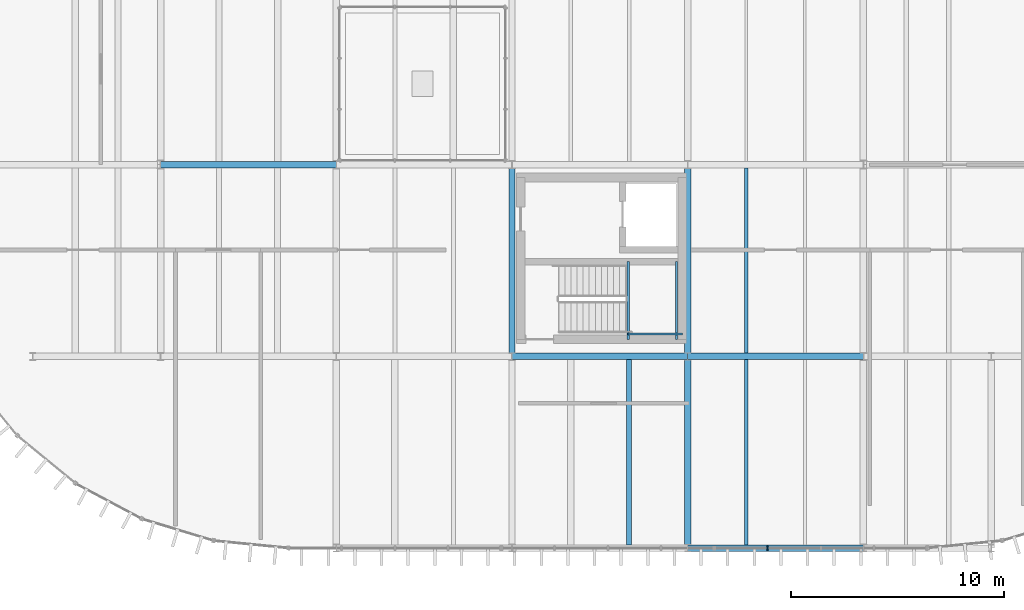
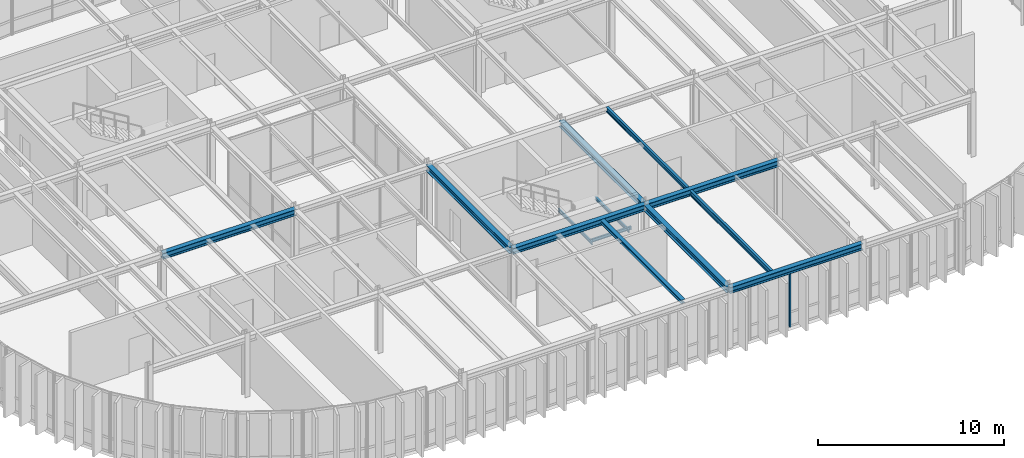
# One storey, part 9 of 31: 13 beams, 1 member, 1 element without a shape of its own.
"""IFC4 building model written with IfcOpenShell, lengths in metres."""

import ifcopenshell
import ifcopenshell.guid

model = None  # the IFC model being written
_history = None  # IfcOwnerHistory: only IFC2X3 demands one
_inside = {}  # id of a spatial element -> (the spatial element, [elements in it])
_under = {}  # id of a project, library or spatial element -> (it, [spatial elements below it])
_declared = {}  # id of a project -> (the project, [libraries it declares])
_typed = {}  # id of a type object -> (the type object, [elements of that type])
_made_of = {}  # id of a material, layer set ... -> (it, [elements and type objects made of it])


def new_model(schema):
    """Start an empty IFC model of exactly this schema.

    Asked for "IFC4X3", IfcOpenShell would pick the latest addendum, in which some entities
    have other attributes; the version numbers below select the first issue.
    IFC2X3 requires an IfcOwnerHistory on every rooted entity: one is made here for all.
    """
    global model, _history
    if schema == "IFC4X3":
        model = ifcopenshell.file(schema_version=(4, 3, 0, 0))
    else:
        model = ifcopenshell.file(schema=schema)
    _inside.clear()
    _under.clear()
    _declared.clear()
    _typed.clear()
    _made_of.clear()
    _history = None
    if model.schema == "IFC2X3":
        org = make("IfcOrganization", Name="unknown")
        user = make(
            "IfcPersonAndOrganization",
            ThePerson=make("IfcPerson", FamilyName="unknown"),
            TheOrganization=org,
        )
        app = make(
            "IfcApplication",
            ApplicationDeveloper=org,
            Version="unknown",
            ApplicationFullName="unknown",
            ApplicationIdentifier="unknown",
        )
        _history = make(
            "IfcOwnerHistory",
            OwningUser=user,
            OwningApplication=app,
            ChangeAction="ADDED",
            CreationDate=0,
        )
    return model


def make(cls, **values):
    """One entity of the class cls with the attributes given. An attribute that is None is left unset."""
    return model.create_entity(
        cls, **{name: value for name, value in values.items() if value is not None}
    )


def rooted(cls, **values):
    """An entity with a GlobalId (a new one), such as an element, a storey or a relation."""
    return make(cls, GlobalId=ifcopenshell.guid.new(), OwnerHistory=_history, **values)


def si_unit(unit_type, name, prefix=None):
    """IfcSIUnit, for example si_unit("LENGTHUNIT", "METRE", prefix="MILLI")."""
    return make("IfcSIUnit", UnitType=unit_type, Prefix=prefix, Name=name)


def assignment(units):
    """IfcUnitAssignment: the units of a project."""
    return None if units is None else make("IfcUnitAssignment", Units=units)


def point(xyz):
    """IfcCartesianPoint."""
    return None if xyz is None else make("IfcCartesianPoint", Coordinates=xyz)


def direction(xyz):
    """IfcDirection."""
    return None if xyz is None else make("IfcDirection", DirectionRatios=xyz)


def frame(location, z_axis=None, x_axis=None):
    """IfcAxis2Placement3D, a coordinate frame: its origin and axes. An axis left out is left unset."""
    return make(
        "IfcAxis2Placement3D",
        Location=point(location),
        Axis=direction(z_axis),
        RefDirection=direction(x_axis),
    )


def frame_2d(location, x_axis=None):
    """IfcAxis2Placement2D, a coordinate frame in the plane: its origin and x axis."""
    return make(
        "IfcAxis2Placement2D", Location=point(location), RefDirection=direction(x_axis)
    )


def origin():
    """The frame at (0, 0, 0) with its axes left unset."""
    return frame((0.0, 0.0, 0.0))


def origin_2d():
    """The frame at (0, 0) in the plane with its x axis left unset."""
    return frame_2d((0.0, 0.0))


def place(relative_to, where):
    """IfcLocalPlacement: puts the frame where relative to a parent placement (None: the world)."""
    return make(
        "IfcLocalPlacement", PlacementRelTo=relative_to, RelativePlacement=where
    )


def context(
    kind, dimensions, precision=None, world=None, true_north=None, identifier=None
):
    """IfcGeometricRepresentationContext, for example the 3D "Model" context."""
    return make(
        "IfcGeometricRepresentationContext",
        ContextIdentifier=identifier,
        ContextType=kind,
        CoordinateSpaceDimension=dimensions,
        Precision=precision,
        WorldCoordinateSystem=world,
        TrueNorth=true_north,
    )


def subcontext(parent, identifier, kind, view, scale=None):
    """IfcGeometricRepresentationSubContext, for example "Body" below "Model"."""
    return make(
        "IfcGeometricRepresentationSubContext",
        ContextIdentifier=identifier,
        ContextType=kind,
        ParentContext=parent,
        TargetScale=scale,
        TargetView=view,
    )


def project(units=None, contexts=None):
    """IfcProject with its units and contexts."""
    return rooted(
        "IfcProject",
        Name="project",
        RepresentationContexts=contexts,
        UnitsInContext=assignment(units),
    )


def spatial(cls, under=None, at=None, **own):
    """A site, building, storey or space (cls), placed at a placement, below another one or the project."""
    s = rooted(cls, ObjectPlacement=at, **own)
    if under is not None:
        _under.setdefault(under.id(), (under, []))[1].append(s)
    return s


def profile(cls, at=None, kind="AREA", **sizes):
    """A parametric profile (cls). Its sizes go by their IFC names, for example OverallWidth=200.0."""
    return make(cls, ProfileType=kind, Position=at, **sizes)


def rectangle(**sizes):
    """IfcRectangleProfileDef."""
    return profile("IfcRectangleProfileDef", **sizes)


def i_section(**sizes):
    """IfcIShapeProfileDef."""
    return profile("IfcIShapeProfileDef", **sizes)


def extrude(swept, where, along, depth):
    """IfcExtrudedAreaSolid: the profile swept, set in the frame where, extruded along a direction by depth."""
    return make(
        "IfcExtrudedAreaSolid",
        SweptArea=swept,
        Position=where,
        ExtrudedDirection=direction(along),
        Depth=depth,
    )


def shape(context_of_items, identifier, shape_type, items):
    """IfcShapeRepresentation: the items that make up one representation, for example the "Body"."""
    return make(
        "IfcShapeRepresentation",
        ContextOfItems=context_of_items,
        RepresentationIdentifier=identifier,
        RepresentationType=shape_type,
        Items=items,
    )


def material(Name=None, Category=None):
    """IfcMaterial."""
    return make("IfcMaterial", Name=Name, Category=Category)


def layer(
    of_material, thickness, ventilated=None, Name=None, Category=None, Priority=None
):
    """IfcMaterialLayer: one layer of a wall or slab, of a material (None: an air gap)."""
    return make(
        "IfcMaterialLayer",
        Material=of_material,
        LayerThickness=thickness,
        IsVentilated=ventilated,
        Name=Name,
        Category=Category,
        Priority=Priority,
    )


def layer_set(layers, Name=None):
    """IfcMaterialLayerSet."""
    return make("IfcMaterialLayerSet", MaterialLayers=layers, LayerSetName=Name)


def material_profile(
    of_material, cross_section, Name=None, Category=None, Priority=None
):
    """IfcMaterialProfile: a cross section and its material."""
    return make(
        "IfcMaterialProfile",
        Name=Name,
        Material=of_material,
        Profile=cross_section,
        Priority=Priority,
        Category=Category,
    )


def profile_set(profiles, Name=None, composite=None):
    """IfcMaterialProfileSet."""
    return make(
        "IfcMaterialProfileSet",
        Name=Name,
        MaterialProfiles=profiles,
        CompositeProfile=composite,
    )


def made_of(thing, what):
    """Note that an element or type object is made of a material, layer set ...; save() writes the relation."""
    if what is not None:
        _made_of.setdefault(what.id(), (what, []))[1].append(thing)
    return thing


def type_object(cls, material=None, **own):
    """A type object (cls), such as IfcWallType, which elements share."""
    return made_of(rooted(cls, **own), material)


def element(
    cls,
    number,
    at=None,
    inside=None,
    cuts=None,
    type_object=None,
    material=None,
    context=None,
    identifier="Body",
    shape_type=None,
    held_by="IfcProductDefinitionShape",
    body=None,
    shapes=None,
    **own,
):
    """One element of the class cls, such as IfcWall. Its Tag is "e" and its number.

    at: its placement. inside: the storey or other place that contains it. cuts: it is an
    opening in that element (IfcRelVoidsElement). A single representation is given by context,
    identifier, shape_type and body (its items); several are given by shapes. held_by: the class
    of the entity that holds the representations. save() writes the other relations.
    """
    e = rooted(cls, Tag="e%d" % number, ObjectPlacement=at, **own)
    if body is not None:
        shapes = [shape(context, identifier, shape_type, body)]
    if shapes is not None:
        e.Representation = make(held_by, Representations=shapes)
    if inside is not None:
        _inside.setdefault(inside.id(), (inside, []))[1].append(e)
    if cuts is not None:
        rooted(
            "IfcRelVoidsElement", RelatingBuildingElement=cuts, RelatedOpeningElement=e
        )
    if type_object is not None:
        _typed.setdefault(type_object.id(), (type_object, []))[1].append(e)
    return made_of(e, material)


def aggregate(whole, parts):
    """IfcRelAggregates: a whole, such as a stair, and the parts it consists of."""
    return rooted("IfcRelAggregates", RelatingObject=whole, RelatedObjects=parts)


def save(model, path):
    """Write the relations noted so far, then the file.

    IfcRelAggregates (storeys below a building ...), IfcRelContainedInSpatialStructure (elements
    in a storey), IfcRelDefinesByType, IfcRelAssociatesMaterial and IfcRelDeclares: one each for
    every whole, place, type object, material and project.
    """
    for whole, parts in _under.values():
        aggregate(whole, parts)
    for where, things in _inside.values():
        rooted(
            "IfcRelContainedInSpatialStructure",
            RelatedElements=things,
            RelatingStructure=where,
        )
    for kind, things in _typed.values():
        rooted("IfcRelDefinesByType", RelatedObjects=things, RelatingType=kind)
    for what, things in _made_of.values():
        rooted("IfcRelAssociatesMaterial", RelatedObjects=things, RelatingMaterial=what)
    for by, libraries in _declared.values():
        rooted("IfcRelDeclares", RelatingContext=by, RelatedDefinitions=libraries)
    model.write(path)


model = new_model("IFC4")

# Units and contexts
model_context = context("Model", 3, precision=1e-05, world=origin(), true_north=direction((0.0, 1.0)))
body_context = subcontext(model_context, "Body", "Model", "MODEL_VIEW")
ifc_project = project(units=[si_unit("LENGTHUNIT", "METRE"), si_unit("AREAUNIT", "SQUARE_METRE"), si_unit("VOLUMEUNIT", "CUBIC_METRE"), si_unit("PLANEANGLEUNIT", "RADIAN"), si_unit("MASSUNIT", "GRAM", prefix="KILO")], contexts=[model_context])

# Site, building, storey
site_placement = place(None, origin())
site = spatial("IfcSite", under=ifc_project, at=site_placement, CompositionType="ELEMENT")
building_placement = place(site_placement, origin())
building = spatial("IfcBuilding", under=site, at=building_placement, Name="Montealbar Specialist Clinic", CompositionType="ELEMENT")
storey_placement = place(building_placement, frame((0.0, 0.0, 13.800048828125)))
storey = spatial("IfcBuildingStorey", under=building, at=storey_placement, Name="L03", CompositionType="ELEMENT", Elevation=13.800048828125)

# Beams
ifc_material_1 = material(Name="Steel S355", Category="steel")
ifc_material_profile_1 = material_profile(ifc_material_1, i_section(OverallWidth=0.300048828125, OverallDepth=0.39990234375, WebThickness=0.013427734375, FlangeThickness=0.02392578125, FilletRadius=0.027099609375, at=origin_2d()), Name="HEB 400", Category="steel")
ifc_profile_set_1 = profile_set([ifc_material_profile_1], Name="Steel S355")
beam_type_1 = type_object("IfcBeamType", Name="BM-GIRD-HEB400", PredefinedType="BEAM", material=ifc_profile_set_1)
for number, where, z_axis, x_axis, name in (
    (1, (82.5, 9.0, 3.739990234375), (1.0, 0.0, 0.0), (0.0, 1.0, 0.0), "Beam GX-L03-825-908-90"),
    (2, (90.75, 9.0, 3.739990234375), (1.0, 0.0, 0.0), (0.0, 1.0, 0.0), "Beam GX-L03-908-990-90"),
    (3, (66.0, 18.0, 3.739990234375), (1.0, 0.0, 0.0), (0.0, 1.0, 0.0), "Beam GX-L03-660-742-180"),
):
    element("IfcBeam", number, at=place(storey_placement, frame(where, z_axis=z_axis, x_axis=x_axis)), inside=storey, type_object=beam_type_1, Name=name, PredefinedType="BEAM", context=body_context, shape_type="SweptSolid", body=[
        extrude(i_section(OverallWidth=0.300048828125, OverallDepth=0.39990234375, WebThickness=0.013427734375, FlangeThickness=0.02392578125, FilletRadius=0.027099609375, at=origin_2d()), origin(), (0.0, 0.0, 1.0), 8.25),
    ])
for number, where, z_axis, x_axis, name in (
    (4, (82.5, 9.0, 3.739990234375), (0.0, 1.0, 0.0), (-1.0, 0.0, 0.0), "Beam GY-L03-825-90-180"),
    (5, (90.75, 0.0, 3.739990234375), (0.0, 1.0, 0.0), (-1.0, 0.0, 0.0), "Beam GY-L03-908-0-90"),
    (6, (90.75, 9.0, 3.739990234375), (0.0, 1.0, 0.0), (-1.0, 0.0, 0.0), "Beam GY-L03-908-90-180"),
):
    element("IfcBeam", number, at=place(storey_placement, frame(where, z_axis=z_axis, x_axis=x_axis)), inside=storey, type_object=beam_type_1, Name=name, PredefinedType="BEAM", context=body_context, shape_type="SweptSolid", body=[
        extrude(i_section(OverallWidth=0.300048828125, OverallDepth=0.39990234375, WebThickness=0.013427734375, FlangeThickness=0.02392578125, FilletRadius=0.027099609375, at=origin_2d()), origin(), (0.0, 0.0, 1.0), 9.0),
    ])
ifc_material_profile_2 = material_profile(ifc_material_1, i_section(OverallWidth=0.300048828125, OverallDepth=0.39990234375, WebThickness=0.013427734375, FlangeThickness=0.02392578125, FilletRadius=0.027099609375, at=origin_2d()), Name="HEB 400", Category="steel")
ifc_profile_set_2 = profile_set([ifc_material_profile_2], Name="Steel S355")
beam_type_2 = type_object("IfcBeamType", Name="BM-GIRD-HEB400-EXT", PredefinedType="BEAM", material=ifc_profile_set_2)
beam_1_placement = place(storey_placement, frame((90.75, 0.0, 3.739990234375), z_axis=(1.0, 0.0, 0.0), x_axis=(0.0, 1.0, 0.0)))
element("IfcBeam", 7, at=beam_1_placement, inside=storey, type_object=beam_type_2, Name="Beam GX-L03-908-990-0", PredefinedType="BEAM", context=body_context, shape_type="SweptSolid", body=[
    extrude(i_section(OverallWidth=0.300048828125, OverallDepth=0.39990234375, WebThickness=0.013427734375, FlangeThickness=0.02392578125, FilletRadius=0.027099609375, at=origin_2d()), origin(), (0.0, 0.0, 1.0), 8.25),
])
ifc_material_profile_3 = material_profile(ifc_material_1, i_section(OverallWidth=0.14990234375, OverallDepth=0.300048828125, WebThickness=0.007080078125, FlangeThickness=0.0107421875, FilletRadius=0.014892578125, at=origin_2d()), Name="IPE 300", Category="steel")
ifc_profile_set_3 = profile_set([ifc_material_profile_3], Name="Steel S355")
beam_type_3 = type_object("IfcBeamType", Name="BM-JST-IPE300", PredefinedType="JOIST", material=ifc_profile_set_3)
beam_2_placement = place(storey_placement, frame((93.5, 9.14990234375, 3.7900390625), z_axis=(0.0, 1.0, 0.0), x_axis=(-1.0, 0.0, 0.0)))
element("IfcBeam", 8, at=beam_2_placement, inside=storey, type_object=beam_type_3, Name="Beam JST-L03-935-92-178", PredefinedType="JOIST", context=body_context, shape_type="SweptSolid", body=[
    extrude(i_section(OverallWidth=0.14990234375, OverallDepth=0.300048828125, WebThickness=0.007080078125, FlangeThickness=0.0107421875, FilletRadius=0.014892578125, at=origin_2d()), origin(), (0.0, 0.0, 1.0), 8.7001953125),
])
ifc_material_profile_4 = material_profile(ifc_material_1, i_section(OverallWidth=0.159912109375, OverallDepth=0.330078125, WebThickness=0.007568359375, FlangeThickness=0.011474609375, FilletRadius=0.01806640625, at=origin_2d()), Name="IPE 330", Category="steel")
ifc_profile_set_4 = profile_set([ifc_material_profile_4], Name="Steel S355")
beam_type_4 = type_object("IfcBeamType", Name="BM-JST-IPE330", PredefinedType="JOIST", material=ifc_profile_set_4)
beam_3_placement = place(storey_placement, frame((93.5, 0.14990234375, 3.77490234375), z_axis=(0.0, 1.0, 0.0), x_axis=(-1.0, 0.0, 0.0)))
element("IfcBeam", 9, at=beam_3_placement, inside=storey, type_object=beam_type_4, Name="Beam JST-L03-935-2-88", PredefinedType="JOIST", context=body_context, shape_type="SweptSolid", body=[
    extrude(i_section(OverallWidth=0.159912109375, OverallDepth=0.330078125, WebThickness=0.007568359375, FlangeThickness=0.011474609375, FilletRadius=0.01806640625, at=origin_2d()), origin(), (0.0, 0.0, 1.0), 8.7001953125),
])
ifc_material_profile_5 = material_profile(ifc_material_1, i_section(OverallWidth=0.10009765625, OverallDepth=0.199951171875, WebThickness=0.005615234375, FlangeThickness=0.008544921875, FilletRadius=0.011962890625, at=origin_2d()), Name="IPE 200", Category="steel")
ifc_profile_set_5 = profile_set([ifc_material_profile_5], Name="Steel S355")
beam_type_5 = type_object("IfcBeamType", Name="BM-LINT-IPE200", PredefinedType="LINTEL", material=ifc_profile_set_5)
for number, where, z_axis, x_axis, name in (
    (10, (87.955078125, 9.800048828125, 1.800048828125), (0.0, 1.0, 0.0), (-1.0, 0.0, 0.0), "Core C4 Stair Landing Beam L03 W"),
    (11, (90.22998046875, 9.800048828125, 1.800048828125), (0.0, 1.0, 0.0), (-1.0, 0.0, 0.0), "Core C4 Stair Landing Beam L03 E"),
):
    element("IfcBeam", number, at=place(storey_placement, frame(where, z_axis=z_axis, x_axis=x_axis)), inside=storey, type_object=beam_type_5, Name=name, PredefinedType="LINTEL", context=body_context, shape_type="SweptSolid", body=[
        extrude(i_section(OverallWidth=0.10009765625, OverallDepth=0.199951171875, WebThickness=0.005615234375, FlangeThickness=0.008544921875, FilletRadius=0.011962890625, at=origin_2d()), origin(), (0.0, 0.0, 1.0), 3.64990234375),
    ])
beam_4_placement = place(storey_placement, frame((87.955078125, 10.050048828125, 1.800048828125), z_axis=(1.0, 0.0, 0.0), x_axis=(0.0, 1.0, 0.0)))
element("IfcBeam", 12, at=beam_4_placement, inside=storey, type_object=beam_type_5, Name="Core C4 Stair Landing Tie Beam L03", PredefinedType="LINTEL", context=body_context, shape_type="SweptSolid", body=[
    extrude(i_section(OverallWidth=0.10009765625, OverallDepth=0.199951171875, WebThickness=0.005615234375, FlangeThickness=0.008544921875, FilletRadius=0.011962890625, at=origin_2d()), origin(), (0.0, 0.0, 1.0), 2.544921875),
])
ifc_material_profile_6 = material_profile(ifc_material_1, i_section(OverallWidth=0.239990234375, OverallDepth=0.22998046875, WebThickness=0.007568359375, FlangeThickness=0.011962890625, FilletRadius=0.02099609375, at=origin_2d()), Name="HEA 240", Category="steel")
ifc_profile_set_6 = profile_set([ifc_material_profile_6], Name="Steel S355")
beam_type_6 = type_object("IfcBeamType", Name="BM-SPAND-HEA240", PredefinedType="SPANDREL", material=ifc_profile_set_6)
beam_5_placement = place(storey_placement, frame((88.0, 0.14990234375, 3.824951171875), z_axis=(0.0, 1.0, 0.0), x_axis=(-1.0, 0.0, 0.0)))
element("IfcBeam", 13, at=beam_5_placement, inside=storey, type_object=beam_type_6, Name="Beam JST-L03-880-2-88", PredefinedType="SPANDREL", context=body_context, shape_type="SweptSolid", body=[
    extrude(i_section(OverallWidth=0.239990234375, OverallDepth=0.22998046875, WebThickness=0.007568359375, FlangeThickness=0.011962890625, FilletRadius=0.02099609375, at=origin_2d()), origin(), (0.0, 0.0, 1.0), 8.7001953125),
])

# Curtain wall, member
ifc_material_2 = material(Name="Low-E double glazing", Category="glass")
ifc_layer = layer(ifc_material_2, 0.199951171875, Name="Low-E double glazing", Category="glass")
ifc_layer_set = layer_set([ifc_layer], Name="Low-E double glazing")
curtain_wall_type = type_object("IfcCurtainWallType", Name="CW-TYPE-22", PredefinedType="NOTDEFINED", material=ifc_layer_set)
curtain_wall_placement = place(storey_placement, origin())
curtain_wall = element("IfcCurtainWall", 14, at=curtain_wall_placement, inside=storey, type_object=curtain_wall_type, Name="Unitised Curtain Wall CW-L03-1020-0-920-0-138", PredefinedType="NOTDEFINED")
ifc_material_3 = material(Name="Anodised aluminium EN AW-6063", Category="aluminium")
ifc_material_profile_7 = material_profile(ifc_material_3, rectangle(XDim=0.070068359375, YDim=0.179931640625, at=origin_2d()), Name="ALU 70x180", Category="aluminium")
ifc_profile_set_7 = profile_set([ifc_material_profile_7], Name="Anodised aluminium EN AW-6063")
member_type = type_object("IfcMemberType", Name="CW-MUL-200", PredefinedType="MULLION", material=ifc_profile_set_7)
member_placement = place(storey_placement, frame((94.5, 0.0, 0.0), z_axis=(0.0, 0.0, 1.0), x_axis=(-1.0, 0.0, 0.0)))
member = element("IfcMember", 15, at=member_placement, type_object=member_type, Name="Curtain Wall Mullion CW-L03-1020-0-920-0-138-03", PredefinedType="MULLION", context=body_context, shape_type="SweptSolid", body=[
    extrude(rectangle(XDim=0.070068359375, YDim=0.179931640625, at=origin_2d()), origin(), (0.0, 0.0, 1.0), 3.5400390625),
])
aggregate(curtain_wall, [member])

save(model, "model.ifc")
